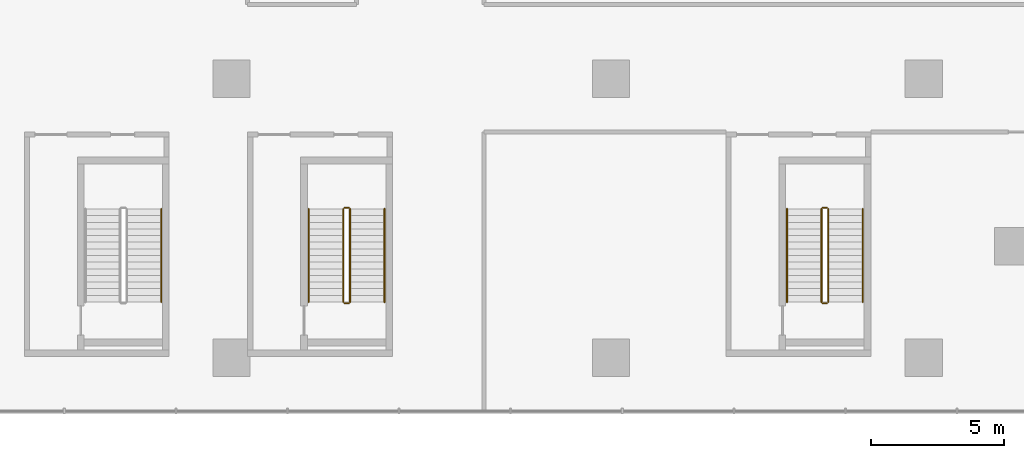
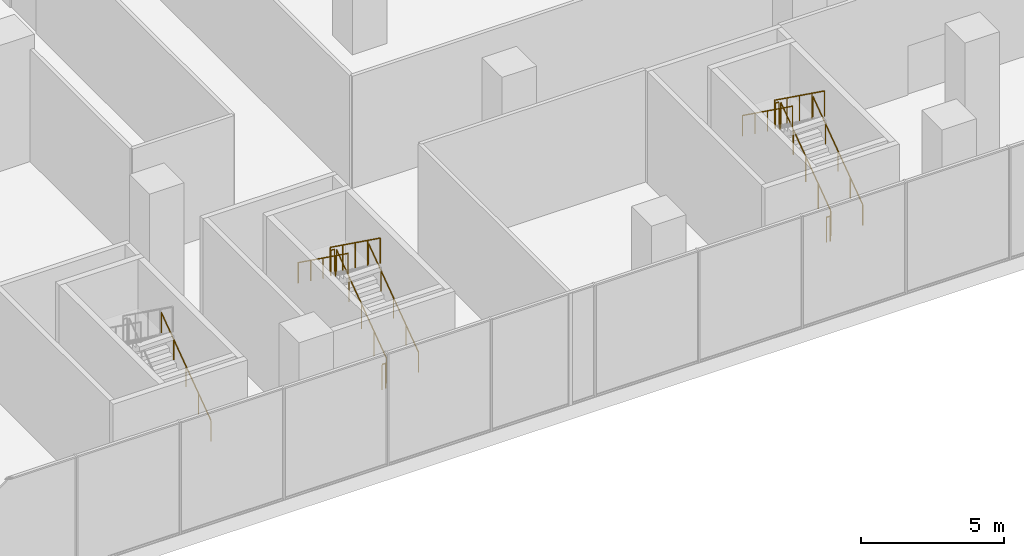
# One storey, part 20 of 22: 13 railings.
"""IFC4 building model written with IfcOpenShell, lengths in metres."""

from ifc_helpers import new_model, si_unit, direction, frame, origin, origin_2d, place, context, subcontext, project, spatial, circle, extrude, source, transform, mapped, material, type_object, element, save


model = new_model("IFC4")

# Units and contexts
model_context = context("Model", 3, precision=1e-05, world=origin(), true_north=direction((0.0, 1.0)))
body_context = subcontext(model_context, "Body", "Model", "MODEL_VIEW")
ifc_project = project(units=[si_unit("LENGTHUNIT", "METRE"), si_unit("AREAUNIT", "SQUARE_METRE"), si_unit("VOLUMEUNIT", "CUBIC_METRE"), si_unit("PLANEANGLEUNIT", "RADIAN"), si_unit("MASSUNIT", "GRAM", prefix="KILO")], contexts=[model_context])

# Site, building, storey
site_placement = place(None, origin())
site = spatial("IfcSite", under=ifc_project, at=site_placement, CompositionType="ELEMENT")
building_placement = place(site_placement, origin())
building = spatial("IfcBuilding", under=site, at=building_placement, Name="Aurelian Terraces", CompositionType="ELEMENT")
storey_placement = place(building_placement, frame((0.0, 0.0, 7.5)))
storey = spatial("IfcBuildingStorey", under=building, at=storey_placement, Name="L01", CompositionType="ELEMENT", Elevation=7.5)

# Railings
ifc_material = material(Name="Stainless steel", Category="steel")
railing_type_1 = type_object("IfcRailingType", Name="Stair guard 1100", PredefinedType="GUARDRAIL", material=ifc_material)
shared_shape_1 = source(origin(), body_context, "Body", "SweptSolid", [
    extrude(circle(Radius=0.024, at=origin_2d()), frame((0.0, 0.0, 1.076), z_axis=(-1.0, 0.0, 0.0), x_axis=(0.0, -1.0, 0.0)), (0.0, 0.0, 1.0), 0.15),
    extrude(circle(Radius=0.021, at=origin_2d()), origin(), (0.0, 0.0, 1.0), 1.052),
    extrude(circle(Radius=0.021, at=origin_2d()), frame((-0.15, 0.0, 0.0)), (0.0, 0.0, 1.0), 1.052),
])
for number, where, name in (
    (1, (42.2, 5.65, 2.7), "L01 S2 stair guard 2"),
    (2, (42.2, 2.05, 0.0), "L01 S2 stair guard 4"),
    (3, (60.2, 5.65, 2.7), "L01 S6 stair guard 2"),
    (4, (60.2, 2.05, 0.0), "L01 S6 stair guard 4"),
):
    element("IfcRailing", number, at=place(storey_placement, frame(where)), inside=storey, type_object=railing_type_1, Name=name, PredefinedType="GUARDRAIL", context=body_context, shape_type="MappedRepresentation", body=[
        mapped(shared_shape_1, transform((0.0, 0.0, 0.0), scale=1.0)),
    ])
shared_shape_2 = source(origin(), body_context, "Body", "SweptSolid", [
    extrude(circle(Radius=0.024, at=origin_2d()), frame((0.0, 0.0, 1.076), z_axis=(0.0, 0.811534341451, 0.584304725845), x_axis=(-1.0, 0.0, 0.0)), (0.0, 0.0, 1.0), 4.3128),
    extrude(circle(Radius=0.021, at=origin_2d()), origin(), (0.0, 0.0, 1.0), 1.052),
    extrude(circle(Radius=0.021, at=origin_2d()), frame((0.0, 0.875, 0.63)), (0.0, 0.0, 1.0), 1.052),
    extrude(circle(Radius=0.021, at=origin_2d()), frame((0.0, 1.75, 1.26)), (0.0, 0.0, 1.0), 1.052),
    extrude(circle(Radius=0.021, at=origin_2d()), frame((0.0, 2.625, 1.89)), (0.0, 0.0, 1.0), 1.052),
    extrude(circle(Radius=0.021, at=origin_2d()), frame((0.0, 3.5, 2.52)), (0.0, 0.0, 1.0), 1.052),
])
for number, where, name in (
    (5, (42.25, 2.1, 0.18), "L01 S2 stair guard 1"),
    (6, (60.25, 2.1, 0.18), "L01 S6 stair guard 1"),
):
    element("IfcRailing", number, at=place(storey_placement, frame(where)), inside=storey, type_object=railing_type_1, Name=name, PredefinedType="GUARDRAIL", context=body_context, shape_type="MappedRepresentation", body=[
        mapped(shared_shape_2, transform((0.0, 0.0, 0.0), scale=1.0)),
    ])
shared_shape_3 = source(origin(), body_context, "Body", "SweptSolid", [
    extrude(circle(Radius=0.024, at=origin_2d()), frame((0.0, 0.0, 1.076), z_axis=(0.0, -0.811534341451, 0.584304725845), x_axis=(1.0, 0.0, 0.0)), (0.0, 0.0, 1.0), 4.3128),
    extrude(circle(Radius=0.021, at=origin_2d()), origin(), (0.0, 0.0, 1.0), 1.052),
    extrude(circle(Radius=0.021, at=origin_2d()), frame((0.0, -0.875, 0.63)), (0.0, 0.0, 1.0), 1.052),
    extrude(circle(Radius=0.021, at=origin_2d()), frame((0.0, -1.75, 1.26)), (0.0, 0.0, 1.0), 1.052),
    extrude(circle(Radius=0.021, at=origin_2d()), frame((0.0, -2.625, 1.89)), (0.0, 0.0, 1.0), 1.052),
    extrude(circle(Radius=0.021, at=origin_2d()), frame((0.0, -3.5, 2.52)), (0.0, 0.0, 1.0), 1.052),
])
for number, where, name in (
    (7, (42.0, 5.6, 2.88), "L01 S2 stair guard 3"),
    (8, (60.0, 5.6, 2.88), "L01 S6 stair guard 3"),
):
    element("IfcRailing", number, at=place(storey_placement, frame(where)), inside=storey, type_object=railing_type_1, Name=name, PredefinedType="GUARDRAIL", context=body_context, shape_type="MappedRepresentation", body=[
        mapped(shared_shape_3, transform((0.0, 0.0, 0.0), scale=1.0)),
    ])
railing_type_2 = type_object("IfcRailingType", Name="Stair handrail", PredefinedType="HANDRAIL", material=ifc_material)
shared_shape_4 = source(origin(), body_context, "Body", "SweptSolid", [
    extrude(circle(Radius=0.024, at=origin_2d()), frame((0.0, 0.0, 0.876), z_axis=(0.0, 0.811534341451, 0.584304725845), x_axis=(-1.0, 0.0, 0.0)), (0.0, 0.0, 1.0), 4.3128),
    extrude(circle(Radius=0.021, at=origin_2d()), origin(), (0.0, 0.0, 1.0), 0.852),
    extrude(circle(Radius=0.021, at=origin_2d()), frame((0.0, 0.875, 0.63)), (0.0, 0.0, 1.0), 0.852),
    extrude(circle(Radius=0.021, at=origin_2d()), frame((0.0, 1.75, 1.26)), (0.0, 0.0, 1.0), 0.852),
    extrude(circle(Radius=0.021, at=origin_2d()), frame((0.0, 2.625, 1.89)), (0.0, 0.0, 1.0), 0.852),
    extrude(circle(Radius=0.021, at=origin_2d()), frame((0.0, 3.5, 2.52)), (0.0, 0.0, 1.0), 0.852),
])
for number, where, name in (
    (9, (43.55, 2.1, 0.18), "L01 S2 stair handrail 1"),
    (10, (61.55, 2.1, 0.18), "L01 S6 stair handrail 1"),
    (11, (35.15, 2.1, 0.18), "L01 S7 stair handrail 1"),
):
    element("IfcRailing", number, at=place(storey_placement, frame(where)), inside=storey, type_object=railing_type_2, Name=name, PredefinedType="HANDRAIL", context=body_context, shape_type="MappedRepresentation", body=[
        mapped(shared_shape_4, transform((0.0, 0.0, 0.0), scale=1.0)),
    ])
shared_shape_5 = source(origin(), body_context, "Body", "SweptSolid", [
    extrude(circle(Radius=0.024, at=origin_2d()), frame((0.0, 0.0, 0.876), z_axis=(0.0, -0.811534341451, 0.584304725845), x_axis=(1.0, 0.0, 0.0)), (0.0, 0.0, 1.0), 4.3128),
    extrude(circle(Radius=0.021, at=origin_2d()), origin(), (0.0, 0.0, 1.0), 0.852),
    extrude(circle(Radius=0.021, at=origin_2d()), frame((0.0, -0.875, 0.63)), (0.0, 0.0, 1.0), 0.852),
    extrude(circle(Radius=0.021, at=origin_2d()), frame((0.0, -1.75, 1.26)), (0.0, 0.0, 1.0), 0.852),
    extrude(circle(Radius=0.021, at=origin_2d()), frame((0.0, -2.625, 1.89)), (0.0, 0.0, 1.0), 0.852),
    extrude(circle(Radius=0.021, at=origin_2d()), frame((0.0, -3.5, 2.52)), (0.0, 0.0, 1.0), 0.852),
])
for number, where, name in (
    (12, (40.7, 5.6, 2.88), "L01 S2 stair handrail 2"),
    (13, (58.7, 5.6, 2.88), "L01 S6 stair handrail 2"),
):
    element("IfcRailing", number, at=place(storey_placement, frame(where)), inside=storey, type_object=railing_type_2, Name=name, PredefinedType="HANDRAIL", context=body_context, shape_type="MappedRepresentation", body=[
        mapped(shared_shape_5, transform((0.0, 0.0, 0.0), scale=1.0)),
    ])

save(model, "model.ifc")
